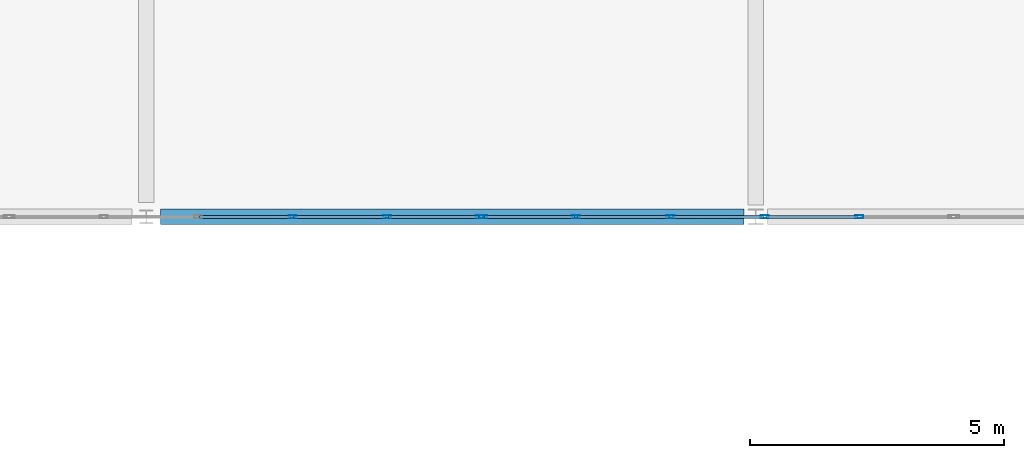
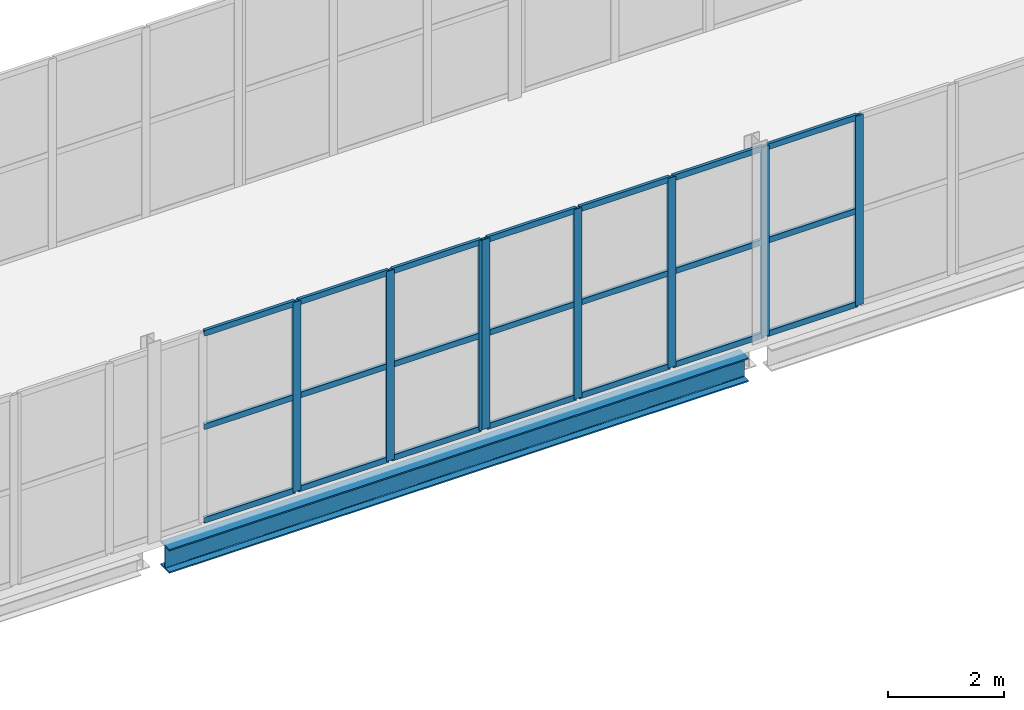
# One storey, part 55 of 121: 29 members, 1 beam, 2 elements without a shape of their own.
"""IFC4 building model written with IfcOpenShell, lengths in metres."""

from ifc_helpers import new_model, si_unit, direction, frame, origin, origin_2d, place, context, subcontext, project, spatial, hollow_rectangle, i_section, extrude, material, layer, layer_set, material_profile, profile_set, type_object, element, aggregate, save


model = new_model("IFC4")

# Units and contexts
model_context = context("Model", 3, precision=1e-05, world=origin(), true_north=direction((0.0, 1.0)))
body_context = subcontext(model_context, "Body", "Model", "MODEL_VIEW")
ifc_project = project(units=[si_unit("LENGTHUNIT", "METRE"), si_unit("AREAUNIT", "SQUARE_METRE"), si_unit("VOLUMEUNIT", "CUBIC_METRE"), si_unit("PLANEANGLEUNIT", "RADIAN"), si_unit("MASSUNIT", "GRAM", prefix="KILO")], contexts=[model_context])

# Site, building, storey
site_placement = place(None, origin())
site = spatial("IfcSite", under=ifc_project, at=site_placement, CompositionType="ELEMENT")
building_placement = place(site_placement, origin())
building = spatial("IfcBuilding", under=site, at=building_placement, Name="Vinh Khe Railworks Police Headquarters", CompositionType="ELEMENT")
storey_placement = place(building_placement, frame((0.0, 0.0, 4.800048828125)))
storey = spatial("IfcBuildingStorey", under=building, at=storey_placement, Name="L01", CompositionType="ELEMENT", Elevation=4.800048828125)

# Curtain wall, members
ifc_material_1 = material(Name="Anodised aluminium and solar-control glass", Category="aluminium")
ifc_layer = layer(ifc_material_1, 0.159912109375)
ifc_layer_set = layer_set([ifc_layer], Name="Anodised aluminium and solar-control glass")
curtain_wall_type = type_object("IfcCurtainWallType", Name="CW-SHOPFRONT", PredefinedType="USERDEFINED", material=ifc_layer_set)
curtain_wall_1_placement = place(storey_placement, origin())
curtain_wall_1 = element("IfcCurtainWall", 1, at=curtain_wall_1_placement, inside=storey, type_object=curtain_wall_type, Name="Link Bridge South Glazing L01 Bay 2", ObjectType="UNITISED GLAZING", PredefinedType="USERDEFINED")
ifc_material_2 = material(Name="Anodised aluminium 6063-T6", Category="aluminium")
ifc_material_profile_1 = material_profile(ifc_material_2, hollow_rectangle(XDim=0.06005859375, YDim=0.159912109375, WallThickness=0.00390625, at=origin_2d()), Name="CW-M 60x160x4")
ifc_profile_set_1 = profile_set([ifc_material_profile_1], Name="Anodised aluminium 6063-T6")
member_type_1 = type_object("IfcMemberType", Name="MULL-CWM-01", PredefinedType="MULLION", material=ifc_profile_set_1)
member_1_placement = place(storey_placement, frame((37.080078125, 96.0, 0.0), z_axis=(0.0, 0.0, 1.0), x_axis=(0.0, 1.0, 0.0)))
member_1 = element("IfcMember", 2, at=member_1_placement, type_object=member_type_1, Name="CW-03 mullion 4", PredefinedType="MULLION", context=body_context, shape_type="SweptSolid", body=[
    extrude(hollow_rectangle(XDim=0.06005859375, YDim=0.159912109375, WallThickness=0.00390625, at=origin_2d()), origin(), (0.0, 0.0, 1.0), 3.97998046875),
])
member_2_placement = place(storey_placement, frame((38.93994140625, 96.0, 0.0), z_axis=(0.0, 0.0, 1.0), x_axis=(0.0, 1.0, 0.0)))
member_2 = element("IfcMember", 3, at=member_2_placement, type_object=member_type_1, Name="CW-03 mullion 5", PredefinedType="MULLION", context=body_context, shape_type="SweptSolid", body=[
    extrude(hollow_rectangle(XDim=0.06005859375, YDim=0.159912109375, WallThickness=0.00390625, at=origin_2d()), origin(), (0.0, 0.0, 1.0), 3.97998046875),
])
member_3_placement = place(storey_placement, frame((40.77001953125, 96.0, 0.0), z_axis=(0.0, 0.0, 1.0), x_axis=(0.0, 1.0, 0.0)))
member_3 = element("IfcMember", 4, at=member_3_placement, type_object=member_type_1, Name="CW-03 mullion 6", PredefinedType="MULLION", context=body_context, shape_type="SweptSolid", body=[
    extrude(hollow_rectangle(XDim=0.06005859375, YDim=0.159912109375, WallThickness=0.00390625, at=origin_2d()), origin(), (0.0, 0.0, 1.0), 3.97998046875),
])

curtain_wall_2_placement = place(storey_placement, origin())
curtain_wall_2 = element("IfcCurtainWall", 5, at=curtain_wall_2_placement, inside=storey, type_object=curtain_wall_type, Name="Link Bridge South Glazing L01 Bay 3", ObjectType="UNITISED GLAZING", PredefinedType="USERDEFINED")
member_4_placement = place(storey_placement, frame((40.830078125, 96.0, 0.0), z_axis=(0.0, 0.0, 1.0), x_axis=(0.0, 1.0, 0.0)))
member_4 = element("IfcMember", 6, at=member_4_placement, type_object=member_type_1, Name="CW-03 mullion 1", PredefinedType="MULLION", context=body_context, shape_type="SweptSolid", body=[
    extrude(hollow_rectangle(XDim=0.06005859375, YDim=0.159912109375, WallThickness=0.00390625, at=origin_2d()), origin(), (0.0, 0.0, 1.0), 3.97998046875),
])
member_5_placement = place(storey_placement, frame((42.659912109375, 96.0, 0.0), z_axis=(0.0, 0.0, 1.0), x_axis=(0.0, 1.0, 0.0)))
member_5 = element("IfcMember", 7, at=member_5_placement, type_object=member_type_1, Name="CW-03 mullion 2", PredefinedType="MULLION", context=body_context, shape_type="SweptSolid", body=[
    extrude(hollow_rectangle(XDim=0.06005859375, YDim=0.159912109375, WallThickness=0.00390625, at=origin_2d()), origin(), (0.0, 0.0, 1.0), 3.97998046875),
])
member_6_placement = place(storey_placement, frame((44.52001953125, 96.0, 0.0), z_axis=(0.0, 0.0, 1.0), x_axis=(0.0, 1.0, 0.0)))
member_6 = element("IfcMember", 8, at=member_6_placement, type_object=member_type_1, Name="CW-03 mullion 3", PredefinedType="MULLION", context=body_context, shape_type="SweptSolid", body=[
    extrude(hollow_rectangle(XDim=0.06005859375, YDim=0.159912109375, WallThickness=0.00390625, at=origin_2d()), origin(), (0.0, 0.0, 1.0), 3.97998046875),
])
member_7_placement = place(storey_placement, frame((46.3798828125, 96.0, 0.0), z_axis=(0.0, 0.0, 1.0), x_axis=(0.0, 1.0, 0.0)))
member_7 = element("IfcMember", 9, at=member_7_placement, type_object=member_type_1, Name="CW-03 mullion 4", PredefinedType="MULLION", context=body_context, shape_type="SweptSolid", body=[
    extrude(hollow_rectangle(XDim=0.06005859375, YDim=0.159912109375, WallThickness=0.00390625, at=origin_2d()), origin(), (0.0, 0.0, 1.0), 3.97998046875),
])
member_8_placement = place(storey_placement, frame((48.239990234375, 96.0, 0.0), z_axis=(0.0, 0.0, 1.0), x_axis=(0.0, 1.0, 0.0)))
member_8 = element("IfcMember", 10, at=member_8_placement, type_object=member_type_1, Name="CW-03 mullion 5", PredefinedType="MULLION", context=body_context, shape_type="SweptSolid", body=[
    extrude(hollow_rectangle(XDim=0.06005859375, YDim=0.159912109375, WallThickness=0.00390625, at=origin_2d()), origin(), (0.0, 0.0, 1.0), 3.97998046875),
])

# Beam
ifc_material_3 = material(Name="Steel S355JR", Category="steel")
ifc_material_profile_2 = material_profile(ifc_material_3, i_section(OverallWidth=0.300048828125, OverallDepth=0.5, WebThickness=0.014404296875, FlangeThickness=0.028076171875, FilletRadius=0.027099609375, at=origin_2d()), Name="HEB 500")
ifc_profile_set_2 = profile_set([ifc_material_profile_2], Name="Steel S355JR")
beam_type = type_object("IfcBeamType", Name="Steel Girder HEB 500", PredefinedType="BEAM", material=ifc_profile_set_2)
beam_placement = place(storey_placement, frame((34.47998046875, 96.0, -0.489990234375), z_axis=(1.0, 0.0, 0.0), x_axis=(0.0, 1.0, 0.0)))
element("IfcBeam", 11, at=beam_placement, inside=storey, type_object=beam_type, Name="Girder BM-L01-EW-SB-06-0482", PredefinedType="BEAM", context=body_context, shape_type="SweptSolid", body=[
    extrude(i_section(OverallWidth=0.300048828125, OverallDepth=0.5, WebThickness=0.014404296875, FlangeThickness=0.028076171875, FilletRadius=0.027099609375, at=origin_2d()), origin(), (0.0, 0.0, 1.0), 11.489990234375),
])

# Member
ifc_material_profile_3 = material_profile(ifc_material_2, hollow_rectangle(XDim=0.06005859375, YDim=0.1201171875, WallThickness=0.00390625, at=origin_2d()), Name="CW-T 60x120x4")
ifc_profile_set_3 = profile_set([ifc_material_profile_3], Name="Anodised aluminium 6063-T6")
member_type_2 = type_object("IfcMemberType", Name="TRAN-CWT-01", PredefinedType="USERDEFINED", material=ifc_profile_set_3)
member_9_placement = place(storey_placement, frame((35.25, 96.0, 0.030029296875), z_axis=(1.0, 0.0, 0.0), x_axis=(0.0, 1.0, 0.0)))
member_9 = element("IfcMember", 12, at=member_9_placement, type_object=member_type_2, Name="CW-03 transom 3.1", ObjectType="TRANSOM", PredefinedType="USERDEFINED", context=body_context, shape_type="SweptSolid", body=[
    extrude(hollow_rectangle(XDim=0.06005859375, YDim=0.1201171875, WallThickness=0.00390625, at=origin_2d()), origin(), (0.0, 0.0, 1.0), 1.800048828125),
])

member_10_placement = place(storey_placement, frame((35.25, 96.0, 1.989990234375), z_axis=(1.0, 0.0, 0.0), x_axis=(0.0, 1.0, 0.0)))
member_10 = element("IfcMember", 13, at=member_10_placement, type_object=member_type_2, Name="CW-03 transom 3.2", ObjectType="TRANSOM", PredefinedType="USERDEFINED", context=body_context, shape_type="SweptSolid", body=[
    extrude(hollow_rectangle(XDim=0.06005859375, YDim=0.1201171875, WallThickness=0.00390625, at=origin_2d()), origin(), (0.0, 0.0, 1.0), 1.800048828125),
])

member_11_placement = place(storey_placement, frame((35.25, 96.0, 3.949951171875), z_axis=(1.0, 0.0, 0.0), x_axis=(0.0, 1.0, 0.0)))
member_11 = element("IfcMember", 14, at=member_11_placement, type_object=member_type_2, Name="CW-03 transom 3.3", ObjectType="TRANSOM", PredefinedType="USERDEFINED", context=body_context, shape_type="SweptSolid", body=[
    extrude(hollow_rectangle(XDim=0.06005859375, YDim=0.1201171875, WallThickness=0.00390625, at=origin_2d()), origin(), (0.0, 0.0, 1.0), 1.800048828125),
])

member_12_placement = place(storey_placement, frame((37.110107421875, 96.0, 0.030029296875), z_axis=(1.0, 0.0, 0.0), x_axis=(0.0, 1.0, 0.0)))
member_12 = element("IfcMember", 15, at=member_12_placement, type_object=member_type_2, Name="CW-03 transom 4.1", ObjectType="TRANSOM", PredefinedType="USERDEFINED", context=body_context, shape_type="SweptSolid", body=[
    extrude(hollow_rectangle(XDim=0.06005859375, YDim=0.1201171875, WallThickness=0.00390625, at=origin_2d()), origin(), (0.0, 0.0, 1.0), 1.7998046875),
])

member_13_placement = place(storey_placement, frame((37.110107421875, 96.0, 1.989990234375), z_axis=(1.0, 0.0, 0.0), x_axis=(0.0, 1.0, 0.0)))
member_13 = element("IfcMember", 16, at=member_13_placement, type_object=member_type_2, Name="CW-03 transom 4.2", ObjectType="TRANSOM", PredefinedType="USERDEFINED", context=body_context, shape_type="SweptSolid", body=[
    extrude(hollow_rectangle(XDim=0.06005859375, YDim=0.1201171875, WallThickness=0.00390625, at=origin_2d()), origin(), (0.0, 0.0, 1.0), 1.7998046875),
])

member_14_placement = place(storey_placement, frame((37.110107421875, 96.0, 3.949951171875), z_axis=(1.0, 0.0, 0.0), x_axis=(0.0, 1.0, 0.0)))
member_14 = element("IfcMember", 17, at=member_14_placement, type_object=member_type_2, Name="CW-03 transom 4.3", ObjectType="TRANSOM", PredefinedType="USERDEFINED", context=body_context, shape_type="SweptSolid", body=[
    extrude(hollow_rectangle(XDim=0.06005859375, YDim=0.1201171875, WallThickness=0.00390625, at=origin_2d()), origin(), (0.0, 0.0, 1.0), 1.7998046875),
])

member_15_placement = place(storey_placement, frame((38.969970703125, 96.0, 0.030029296875), z_axis=(1.0, 0.0, 0.0), x_axis=(0.0, 1.0, 0.0)))
member_15 = element("IfcMember", 18, at=member_15_placement, type_object=member_type_2, Name="CW-03 transom 5.1", ObjectType="TRANSOM", PredefinedType="USERDEFINED", context=body_context, shape_type="SweptSolid", body=[
    extrude(hollow_rectangle(XDim=0.06005859375, YDim=0.1201171875, WallThickness=0.00390625, at=origin_2d()), origin(), (0.0, 0.0, 1.0), 1.77001953125),
])

member_16_placement = place(storey_placement, frame((38.969970703125, 96.0, 1.989990234375), z_axis=(1.0, 0.0, 0.0), x_axis=(0.0, 1.0, 0.0)))
member_16 = element("IfcMember", 19, at=member_16_placement, type_object=member_type_2, Name="CW-03 transom 5.2", ObjectType="TRANSOM", PredefinedType="USERDEFINED", context=body_context, shape_type="SweptSolid", body=[
    extrude(hollow_rectangle(XDim=0.06005859375, YDim=0.1201171875, WallThickness=0.00390625, at=origin_2d()), origin(), (0.0, 0.0, 1.0), 1.77001953125),
])

member_17_placement = place(storey_placement, frame((38.969970703125, 96.0, 3.949951171875), z_axis=(1.0, 0.0, 0.0), x_axis=(0.0, 1.0, 0.0)))
member_17 = element("IfcMember", 20, at=member_17_placement, type_object=member_type_2, Name="CW-03 transom 5.3", ObjectType="TRANSOM", PredefinedType="USERDEFINED", context=body_context, shape_type="SweptSolid", body=[
    extrude(hollow_rectangle(XDim=0.06005859375, YDim=0.1201171875, WallThickness=0.00390625, at=origin_2d()), origin(), (0.0, 0.0, 1.0), 1.77001953125),
])

aggregate(curtain_wall_1, [member_1, member_2, member_3, member_9, member_10, member_11, member_12, member_13, member_14, member_15, member_16, member_17])

member_18_placement = place(storey_placement, frame((40.860107421875, 96.0, 0.030029296875), z_axis=(1.0, 0.0, 0.0), x_axis=(0.0, 1.0, 0.0)))
member_18 = element("IfcMember", 21, at=member_18_placement, type_object=member_type_2, Name="CW-03 transom 1.1", ObjectType="TRANSOM", PredefinedType="USERDEFINED", context=body_context, shape_type="SweptSolid", body=[
    extrude(hollow_rectangle(XDim=0.06005859375, YDim=0.1201171875, WallThickness=0.00390625, at=origin_2d()), origin(), (0.0, 0.0, 1.0), 1.769775390625),
])

member_19_placement = place(storey_placement, frame((40.860107421875, 96.0, 1.989990234375), z_axis=(1.0, 0.0, 0.0), x_axis=(0.0, 1.0, 0.0)))
member_19 = element("IfcMember", 22, at=member_19_placement, type_object=member_type_2, Name="CW-03 transom 1.2", ObjectType="TRANSOM", PredefinedType="USERDEFINED", context=body_context, shape_type="SweptSolid", body=[
    extrude(hollow_rectangle(XDim=0.06005859375, YDim=0.1201171875, WallThickness=0.00390625, at=origin_2d()), origin(), (0.0, 0.0, 1.0), 1.769775390625),
])

member_20_placement = place(storey_placement, frame((40.860107421875, 96.0, 3.949951171875), z_axis=(1.0, 0.0, 0.0), x_axis=(0.0, 1.0, 0.0)))
member_20 = element("IfcMember", 23, at=member_20_placement, type_object=member_type_2, Name="CW-03 transom 1.3", ObjectType="TRANSOM", PredefinedType="USERDEFINED", context=body_context, shape_type="SweptSolid", body=[
    extrude(hollow_rectangle(XDim=0.06005859375, YDim=0.1201171875, WallThickness=0.00390625, at=origin_2d()), origin(), (0.0, 0.0, 1.0), 1.769775390625),
])

member_21_placement = place(storey_placement, frame((42.68994140625, 96.0, 0.030029296875), z_axis=(1.0, 0.0, 0.0), x_axis=(0.0, 1.0, 0.0)))
member_21 = element("IfcMember", 24, at=member_21_placement, type_object=member_type_2, Name="CW-03 transom 2.1", ObjectType="TRANSOM", PredefinedType="USERDEFINED", context=body_context, shape_type="SweptSolid", body=[
    extrude(hollow_rectangle(XDim=0.06005859375, YDim=0.1201171875, WallThickness=0.00390625, at=origin_2d()), origin(), (0.0, 0.0, 1.0), 1.800048828125),
])

member_22_placement = place(storey_placement, frame((42.68994140625, 96.0, 1.989990234375), z_axis=(1.0, 0.0, 0.0), x_axis=(0.0, 1.0, 0.0)))
member_22 = element("IfcMember", 25, at=member_22_placement, type_object=member_type_2, Name="CW-03 transom 2.2", ObjectType="TRANSOM", PredefinedType="USERDEFINED", context=body_context, shape_type="SweptSolid", body=[
    extrude(hollow_rectangle(XDim=0.06005859375, YDim=0.1201171875, WallThickness=0.00390625, at=origin_2d()), origin(), (0.0, 0.0, 1.0), 1.800048828125),
])

member_23_placement = place(storey_placement, frame((42.68994140625, 96.0, 3.949951171875), z_axis=(1.0, 0.0, 0.0), x_axis=(0.0, 1.0, 0.0)))
member_23 = element("IfcMember", 26, at=member_23_placement, type_object=member_type_2, Name="CW-03 transom 2.3", ObjectType="TRANSOM", PredefinedType="USERDEFINED", context=body_context, shape_type="SweptSolid", body=[
    extrude(hollow_rectangle(XDim=0.06005859375, YDim=0.1201171875, WallThickness=0.00390625, at=origin_2d()), origin(), (0.0, 0.0, 1.0), 1.800048828125),
])

member_24_placement = place(storey_placement, frame((44.550048828125, 96.0, 0.030029296875), z_axis=(1.0, 0.0, 0.0), x_axis=(0.0, 1.0, 0.0)))
member_24 = element("IfcMember", 27, at=member_24_placement, type_object=member_type_2, Name="CW-03 transom 3.1", ObjectType="TRANSOM", PredefinedType="USERDEFINED", context=body_context, shape_type="SweptSolid", body=[
    extrude(hollow_rectangle(XDim=0.06005859375, YDim=0.1201171875, WallThickness=0.00390625, at=origin_2d()), origin(), (0.0, 0.0, 1.0), 1.800048828125),
])

member_25_placement = place(storey_placement, frame((44.550048828125, 96.0, 1.989990234375), z_axis=(1.0, 0.0, 0.0), x_axis=(0.0, 1.0, 0.0)))
member_25 = element("IfcMember", 28, at=member_25_placement, type_object=member_type_2, Name="CW-03 transom 3.2", ObjectType="TRANSOM", PredefinedType="USERDEFINED", context=body_context, shape_type="SweptSolid", body=[
    extrude(hollow_rectangle(XDim=0.06005859375, YDim=0.1201171875, WallThickness=0.00390625, at=origin_2d()), origin(), (0.0, 0.0, 1.0), 1.800048828125),
])

member_26_placement = place(storey_placement, frame((44.550048828125, 96.0, 3.949951171875), z_axis=(1.0, 0.0, 0.0), x_axis=(0.0, 1.0, 0.0)))
member_26 = element("IfcMember", 29, at=member_26_placement, type_object=member_type_2, Name="CW-03 transom 3.3", ObjectType="TRANSOM", PredefinedType="USERDEFINED", context=body_context, shape_type="SweptSolid", body=[
    extrude(hollow_rectangle(XDim=0.06005859375, YDim=0.1201171875, WallThickness=0.00390625, at=origin_2d()), origin(), (0.0, 0.0, 1.0), 1.800048828125),
])

member_27_placement = place(storey_placement, frame((46.409912109375, 96.0, 0.030029296875), z_axis=(1.0, 0.0, 0.0), x_axis=(0.0, 1.0, 0.0)))
member_27 = element("IfcMember", 30, at=member_27_placement, type_object=member_type_2, Name="CW-03 transom 4.1", ObjectType="TRANSOM", PredefinedType="USERDEFINED", context=body_context, shape_type="SweptSolid", body=[
    extrude(hollow_rectangle(XDim=0.06005859375, YDim=0.1201171875, WallThickness=0.00390625, at=origin_2d()), origin(), (0.0, 0.0, 1.0), 1.800048828125),
])

member_28_placement = place(storey_placement, frame((46.409912109375, 96.0, 1.989990234375), z_axis=(1.0, 0.0, 0.0), x_axis=(0.0, 1.0, 0.0)))
member_28 = element("IfcMember", 31, at=member_28_placement, type_object=member_type_2, Name="CW-03 transom 4.2", ObjectType="TRANSOM", PredefinedType="USERDEFINED", context=body_context, shape_type="SweptSolid", body=[
    extrude(hollow_rectangle(XDim=0.06005859375, YDim=0.1201171875, WallThickness=0.00390625, at=origin_2d()), origin(), (0.0, 0.0, 1.0), 1.800048828125),
])

member_29_placement = place(storey_placement, frame((46.409912109375, 96.0, 3.949951171875), z_axis=(1.0, 0.0, 0.0), x_axis=(0.0, 1.0, 0.0)))
member_29 = element("IfcMember", 32, at=member_29_placement, type_object=member_type_2, Name="CW-03 transom 4.3", ObjectType="TRANSOM", PredefinedType="USERDEFINED", context=body_context, shape_type="SweptSolid", body=[
    extrude(hollow_rectangle(XDim=0.06005859375, YDim=0.1201171875, WallThickness=0.00390625, at=origin_2d()), origin(), (0.0, 0.0, 1.0), 1.800048828125),
])

aggregate(curtain_wall_2, [member_4, member_5, member_6, member_7, member_8, member_18, member_19, member_20, member_21, member_22, member_23, member_24, member_25, member_26, member_27, member_28, member_29])

save(model, "model.ifc")
